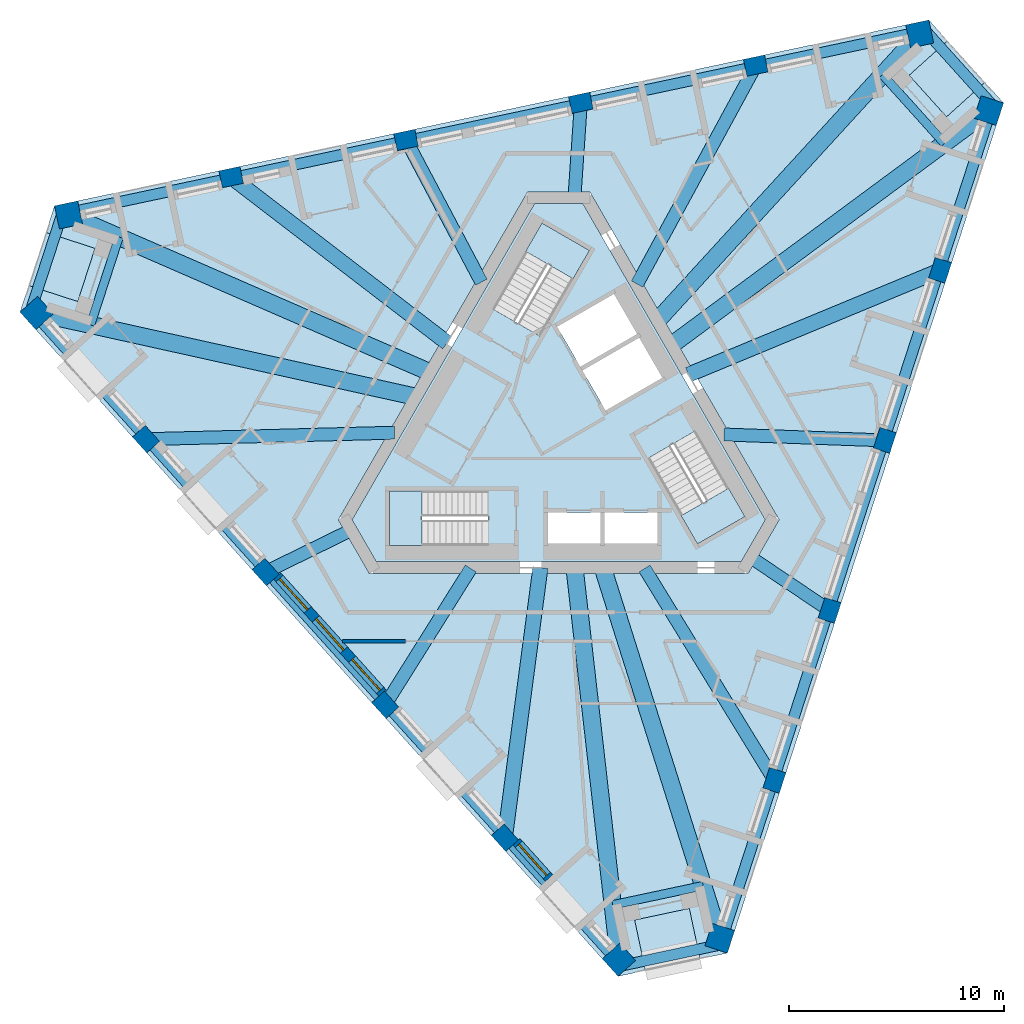
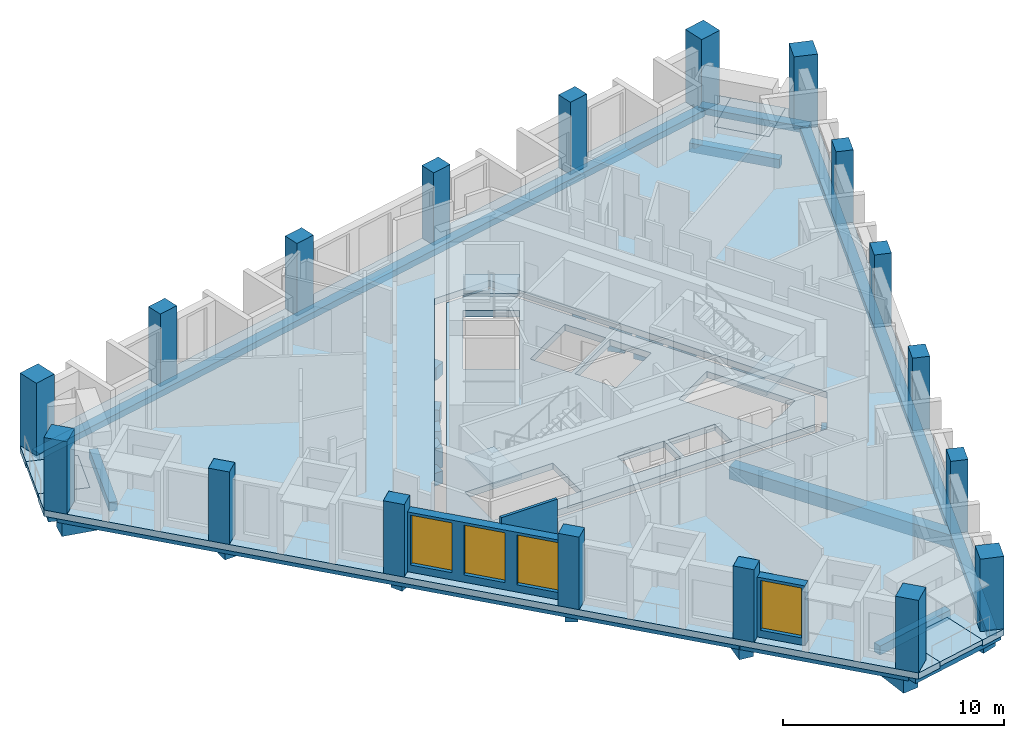
# One storey, part 1 of 12: 27 beams, 18 columns, 8 slabs, 4 windows, 3 walls, 4 openings, 3 elements without a shape of their own.
"""IFC4 building model written with IfcOpenShell, lengths in metres."""

from ifc_helpers import new_model, si_unit, direction, frame, frame_2d, origin, origin_2d, place, context, subcontext, project, spatial, polyline, rectangle, outline, extrude, material, layer, layer_set, material_profile, profile_set, type_object, element, fill, aggregate, save


model = new_model("IFC4")

# Units and contexts
model_context = context("Model", 3, precision=1e-05, world=origin(), true_north=direction((0.0, 1.0)))
body_context = subcontext(model_context, "Body", "Model", "MODEL_VIEW")
ifc_project = project(units=[si_unit("LENGTHUNIT", "METRE"), si_unit("AREAUNIT", "SQUARE_METRE"), si_unit("VOLUMEUNIT", "CUBIC_METRE"), si_unit("PLANEANGLEUNIT", "RADIAN"), si_unit("MASSUNIT", "GRAM", prefix="KILO")], contexts=[model_context])

# Site, building, storey
site_placement = place(None, origin())
site = spatial("IfcSite", under=ifc_project, at=site_placement, CompositionType="ELEMENT")
building_placement = place(site_placement, origin())
building = spatial("IfcBuilding", under=site, at=building_placement, Name="Tramontana Tower", CompositionType="ELEMENT")
storey_placement = place(building_placement, frame((0.0, 0.0, 340.39990234375)))
storey = spatial("IfcBuildingStorey", under=building, at=storey_placement, Name="L78", CompositionType="ELEMENT", Elevation=340.39990234375)

# Columns
ifc_material_1 = material(Name="Concrete 55 MPa", Category="concrete")
ifc_material_profile_1 = material_profile(ifc_material_1, rectangle(XDim=1.10009765625, YDim=1.10009765625, at=origin_2d()), Name="Mega column 1100X1100 55 MPa")
ifc_profile_set_1 = profile_set([ifc_material_profile_1], Name="Concrete 55 MPa")
column_type_1 = type_object("IfcColumnType", Name="Mega column 1100X1100 55 MPa", PredefinedType="COLUMN", material=ifc_profile_set_1)
for number, where, z_axis, x_axis, name in (
    (1, (-24.278076171875, 5.368408203125, 0.0), (0.0, 0.0, 1.0), (0.669130606359, -0.743144825477, 0.0), "Mega column C8K1 L78"),
    (2, (2.80126953125, -24.706298828125, 0.0), (0.0, 0.0, 1.0), (0.669130606359, -0.743144825477, 0.0), "Mega column C8K2 L78"),
    (3, (7.489990234375, -23.70947265625, 0.0), (0.0, 0.0, 1.0), (0.309016994375, 0.951056516295, 0.0), "Mega column C8K3 L78"),
    (4, (19.99560546875, 14.779052734375, 0.0), (0.0, 0.0, 1.0), (0.309016994375, 0.951056516295, 0.0), "Mega column C8K4 L78"),
    (5, (16.7880859375, 18.34130859375, 0.0), (0.0, 0.0, 1.0), (-0.978147600734, -0.207911690818, 0.0), "Mega column C8K5 L78"),
    (6, (-22.796875, 9.92724609375, 0.0), (0.0, 0.0, 1.0), (-0.978147600734, -0.207911690818, 0.0), "Mega column C8K6 L78"),
):
    element("IfcColumn", number, at=place(storey_placement, frame(where, z_axis=z_axis, x_axis=x_axis)), inside=storey, type_object=column_type_1, Name=name, PredefinedType="COLUMN", context=body_context, shape_type="SweptSolid", body=[
        extrude(rectangle(XDim=1.10009765625, YDim=1.10009765625, at=origin_2d()), origin(), (0.0, 0.0, 1.0), 4.0),
    ])
ifc_material_2 = material(Name="Concrete 55 MPa", Category="concrete")
ifc_material_profile_2 = material_profile(ifc_material_2, rectangle(XDim=1.0, YDim=0.800048828125, at=origin_2d()), Name="Pier column 1000X800 55 MPa")
ifc_profile_set_2 = profile_set([ifc_material_profile_2], Name="Concrete 55 MPa")
column_type_2 = type_object("IfcColumnType", Name="Pier column 1000X800 55 MPa", PredefinedType="COLUMN", material=ifc_profile_set_2)
for number, where, z_axis, x_axis, name in (
    (7, (-19.194580078125, -0.501708984375, 0.0), (0.0, 0.0, 1.0), (0.669130606359, -0.743144825477, 0.0), "Pier column C8F01 L78"),
    (8, (-13.63134765625, -6.68017578125, 0.0), (0.0, 0.0, 1.0), (0.669130606359, -0.743144825477, 0.0), "Pier column C8F02 L78"),
    (9, (-8.068359375, -12.8583984375, 0.0), (0.0, 0.0, 1.0), (0.669130606359, -0.743144825477, 0.0), "Pier column C8F03 L78"),
    (10, (-2.50537109375, -19.036865234375, 0.0), (0.0, 0.0, 1.0), (0.669130606359, -0.743144825477, 0.0), "Pier column C8F04 L78"),
    (11, (10.03173828125, -16.3720703125, 0.0), (0.0, 0.0, 1.0), (0.309016994375, 0.951056516295, 0.0), "Pier column C8F05 L78"),
    (12, (12.600830078125, -8.465087890625, 0.0), (0.0, 0.0, 1.0), (0.309016994375, 0.951056516295, 0.0), "Pier column C8F06 L78"),
    (13, (15.169921875, -0.55810546875, 0.0), (0.0, 0.0, 1.0), (0.309016994375, 0.951056516295, 0.0), "Pier column C8F07 L78"),
    (14, (17.739013671875, 7.348876953125, 0.0), (0.0, 0.0, 1.0), (0.309016994375, 0.951056516295, 0.0), "Pier column C8F08 L78"),
    (15, (9.162841796875, 16.873779296875, 0.0), (0.0, 0.0, 1.0), (-0.978147600734, -0.207911690818, 0.0), "Pier column C8F09 L78"),
    (16, (1.030517578125, 15.145263671875, 0.0), (0.0, 0.0, 1.0), (-0.978147600734, -0.207911690818, 0.0), "Pier column C8F10 L78"),
    (17, (-7.1015625, 13.416748046875, 0.0), (0.0, 0.0, 1.0), (-0.978147600734, -0.207911690818, 0.0), "Pier column C8F11 L78"),
    (18, (-15.233642578125, 11.688232421875, 0.0), (0.0, 0.0, 1.0), (-0.978147600734, -0.207911690818, 0.0), "Pier column C8F12 L78"),
):
    element("IfcColumn", number, at=place(storey_placement, frame(where, z_axis=z_axis, x_axis=x_axis)), inside=storey, type_object=column_type_2, Name=name, PredefinedType="COLUMN", context=body_context, shape_type="SweptSolid", body=[
        extrude(rectangle(XDim=1.0, YDim=0.800048828125, at=origin_2d()), origin(), (0.0, 0.0, 1.0), 4.0),
    ])

# Beams
ifc_material_3 = material(Name="Concrete 40 MPa", Category="concrete")
ifc_material_profile_3 = material_profile(ifc_material_3, rectangle(XDim=0.5, YDim=0.35009765625, at=origin_2d()), Name="RC EDGE BEAM 500X350 40 MPa")
ifc_profile_set_3 = profile_set([ifc_material_profile_3], Name="Concrete 40 MPa")
beam_type_1 = type_object("IfcBeamType", Name="RC EDGE BEAM 500X350 40 MPa", PredefinedType="SPANDREL", material=ifc_profile_set_3)
for number, where, z_axis, x_axis, name in (
    (19, (-24.352294921875, 5.301513671875, -0.52490234375), (0.669126699639, -0.743148343086, 0.0), (0.743148343086, 0.669126699639, 0.0), "Spandrel beam S0 L78"),
    (20, (7.5849609375, -23.740478515625, -0.52490234375), (0.309021003975, 0.951055213488, 0.0), (-0.951055213488, 0.309021003975, 0.0), "Spandrel beam S1 L78"),
):
    element("IfcBeam", number, at=place(storey_placement, frame(where, z_axis=z_axis, x_axis=x_axis)), inside=storey, type_object=beam_type_1, Name=name, PredefinedType="SPANDREL", context=body_context, shape_type="SweptSolid", body=[
        extrude(rectangle(XDim=0.5, YDim=0.35009765625, at=origin_2d()), origin(), (0.0, 0.0, 1.0), 40.46923828125),
    ])
beam_1_placement = place(storey_placement, frame((16.767333984375, 18.439208984375, -0.52490234375), z_axis=(-0.978146276815, -0.20791791927, 0.0), x_axis=(0.20791791927, -0.978146276815, 0.0)))
element("IfcBeam", 21, at=beam_1_placement, inside=storey, type_object=beam_type_1, Name="Spandrel beam S2 L78", PredefinedType="SPANDREL", context=body_context, shape_type="SweptSolid", body=[
    extrude(rectangle(XDim=0.5, YDim=0.35009765625, at=origin_2d()), origin(), (0.0, 0.0, 1.0), 40.469482421875),
])
beam_2_placement = place(storey_placement, frame((-23.02099609375, 10.2119140625, -0.52490234375), z_axis=(-0.309015953557, -0.951056854477, 0.0), x_axis=(0.951056854477, -0.309015953557, 0.0)))
element("IfcBeam", 22, at=beam_2_placement, inside=storey, type_object=beam_type_1, Name="Spandrel beam K0 L78", PredefinedType="SPANDREL", context=body_context, shape_type="SweptSolid", body=[
    extrude(rectangle(XDim=0.5, YDim=0.35009765625, at=origin_2d()), origin(), (0.0, 0.0, 1.0), 5.1962890625),
])
for number, where, z_axis, x_axis, name in (
    (23, (2.6669921875, -25.042724609375, -0.52490234375), (0.97814762463, 0.207911578393, 0.0), (-0.207911578393, 0.97814762463, 0.0), "Spandrel beam K1 L78"),
    (24, (20.354248046875, 14.8310546875, -0.52490234375), (-0.66916199362, 0.74311656306, 0.0), (-0.74311656306, -0.66916199362, 0.0), "Spandrel beam K2 L78"),
):
    element("IfcBeam", number, at=place(storey_placement, frame(where, z_axis=z_axis, x_axis=x_axis)), inside=storey, type_object=beam_type_1, Name=name, PredefinedType="SPANDREL", context=body_context, shape_type="SweptSolid", body=[
        extrude(rectangle(XDim=0.5, YDim=0.35009765625, at=origin_2d()), origin(), (0.0, 0.0, 1.0), 5.196044921875),
    ])
ifc_material_4 = material(Name="Concrete 40 MPa", Category="concrete")
ifc_material_profile_4 = material_profile(ifc_material_4, rectangle(XDim=0.60009765625, YDim=0.699951171875, at=origin_2d()), Name="RC GIRDER 600X700 40 MPa")
ifc_profile_set_4 = profile_set([ifc_material_profile_4], Name="Concrete 40 MPa")
beam_type_2 = type_object("IfcBeamType", Name="RC GIRDER 600X700 40 MPa", PredefinedType="BEAM", material=ifc_profile_set_4)
beam_3_placement = place(storey_placement, frame((-19.194580078125, -0.501708984375, -0.699951171875), z_axis=(0.999658682192, 0.026125066864, 0.0), x_axis=(-0.026125066864, 0.999658682192, 0.0)))
element("IfcBeam", 25, at=beam_3_placement, inside=storey, type_object=beam_type_2, Name="Radial girder C8F01 L78", PredefinedType="BEAM", context=body_context, shape_type="SweptSolid", body=[
    extrude(rectangle(XDim=0.60009765625, YDim=0.699951171875, at=origin_2d()), origin(), (0.0, 0.0, 1.0), 11.559814453125),
])
beam_4_placement = place(storey_placement, frame((-13.63134765625, -6.68017578125, -0.699951171875), z_axis=(0.897959158445, 0.440078799496, 0.0), x_axis=(-0.440078799496, 0.897959158445, 0.0)))
element("IfcBeam", 26, at=beam_4_placement, inside=storey, type_object=beam_type_2, Name="Radial girder C8F02 L78", PredefinedType="BEAM", context=body_context, shape_type="SweptSolid", body=[
    extrude(rectangle(XDim=0.60009765625, YDim=0.699951171875, at=origin_2d()), origin(), (0.0, 0.0, 1.0), 4.4296875),
])
beam_5_placement = place(storey_placement, frame((-8.068359375, -12.8583984375, -0.699951171875), z_axis=(0.531504835363, 0.847055257929, 0.0), x_axis=(-0.847055257929, 0.531504835363, 0.0)))
element("IfcBeam", 27, at=beam_5_placement, inside=storey, type_object=beam_type_2, Name="Radial girder C8F03 L78", PredefinedType="BEAM", context=body_context, shape_type="SweptSolid", body=[
    extrude(rectangle(XDim=0.60009765625, YDim=0.699951171875, at=origin_2d()), origin(), (0.0, 0.0, 1.0), 7.486328125),
])
beam_6_placement = place(storey_placement, frame((10.03173828125, -16.3720703125, -0.699951171875), z_axis=(-0.522458548495, 0.852664685034, 0.0), x_axis=(-0.852664685034, -0.522458548495, 0.0)))
element("IfcBeam", 28, at=beam_6_placement, inside=storey, type_object=beam_type_2, Name="Radial girder C8F05 L78", PredefinedType="BEAM", context=body_context, shape_type="SweptSolid", body=[
    extrude(rectangle(XDim=0.60009765625, YDim=0.699951171875, at=origin_2d()), origin(), (0.0, 0.0, 1.0), 11.559814453125),
])
beam_7_placement = place(storey_placement, frame((12.600830078125, -8.465087890625, -0.699951171875), z_axis=(-0.830077902204, 0.557647448011, 0.0), x_axis=(-0.557647448011, -0.830077902204, 0.0)))
element("IfcBeam", 29, at=beam_7_placement, inside=storey, type_object=beam_type_2, Name="Radial girder C8F06 L78", PredefinedType="BEAM", context=body_context, shape_type="SweptSolid", body=[
    extrude(rectangle(XDim=0.60009765625, YDim=0.699951171875, at=origin_2d()), origin(), (0.0, 0.0, 1.0), 4.4296875),
])
beam_8_placement = place(storey_placement, frame((15.169921875, -0.55810546875, -0.699951171875), z_axis=(-0.999324360611, 0.036753534393, 0.0), x_axis=(-0.036753534393, -0.999324360611, 0.0)))
element("IfcBeam", 30, at=beam_8_placement, inside=storey, type_object=beam_type_2, Name="Radial girder C8F07 L78", PredefinedType="BEAM", context=body_context, shape_type="SweptSolid", body=[
    extrude(rectangle(XDim=0.60009765625, YDim=0.699951171875, at=origin_2d()), origin(), (0.0, 0.0, 1.0), 7.486328125),
])
beam_9_placement = place(storey_placement, frame((9.16259765625, 16.873779296875, -0.699951171875), z_axis=(-0.477185075818, -0.87880282397, 0.0), x_axis=(0.87880282397, -0.477185075818, 0.0)))
element("IfcBeam", 31, at=beam_9_placement, inside=storey, type_object=beam_type_2, Name="Radial girder C8F09 L78", PredefinedType="BEAM", context=body_context, shape_type="SweptSolid", body=[
    extrude(rectangle(XDim=0.60009765625, YDim=0.699951171875, at=origin_2d()), origin(), (0.0, 0.0, 1.0), 11.559814453125),
])
beam_10_placement = place(storey_placement, frame((1.030517578125, 15.145263671875, -0.699951171875), z_axis=(-0.067897965918, -0.997692270304, 0.0), x_axis=(0.997692270304, -0.067897965918, 0.0)))
element("IfcBeam", 32, at=beam_10_placement, inside=storey, type_object=beam_type_2, Name="Radial girder C8F10 L78", PredefinedType="BEAM", context=body_context, shape_type="SweptSolid", body=[
    extrude(rectangle(XDim=0.60009765625, YDim=0.699951171875, at=origin_2d()), origin(), (0.0, 0.0, 1.0), 4.429931640625),
])
beam_11_placement = place(storey_placement, frame((-7.1015625, 13.416748046875, -0.699951171875), z_axis=(0.467808305742, -0.883829954843, 0.0), x_axis=(0.883829954843, 0.467808305742, 0.0)))
element("IfcBeam", 33, at=beam_11_placement, inside=storey, type_object=beam_type_2, Name="Radial girder C8F11 L78", PredefinedType="BEAM", context=body_context, shape_type="SweptSolid", body=[
    extrude(rectangle(XDim=0.60009765625, YDim=0.699951171875, at=origin_2d()), origin(), (0.0, 0.0, 1.0), 7.486328125),
])
ifc_material_5 = material(Name="Concrete 40 MPa", Category="concrete")
ifc_material_profile_5 = material_profile(ifc_material_5, rectangle(XDim=0.699951171875, YDim=0.89990234375, at=origin_2d()), Name="RC GIRDER 700X900 40 MPa")
ifc_profile_set_5 = profile_set([ifc_material_profile_5], Name="Concrete 40 MPa")
beam_type_3 = type_object("IfcBeamType", Name="RC GIRDER 700X900 40 MPa", PredefinedType="BEAM", material=ifc_profile_set_5)
beam_12_placement = place(storey_placement, frame((-2.50537109375, -19.036865234375, -0.7998046875), z_axis=(0.130493398369, 0.991449178214, 0.0), x_axis=(-0.991449178214, 0.130493398369, 0.0)))
element("IfcBeam", 34, at=beam_12_placement, inside=storey, type_object=beam_type_3, Name="Radial girder C8F04 L78", PredefinedType="BEAM", context=body_context, shape_type="SweptSolid", body=[
    extrude(rectangle(XDim=0.699951171875, YDim=0.89990234375, at=origin_2d()), origin(), (0.0, 0.0, 1.0), 12.66796875),
])
beam_13_placement = place(storey_placement, frame((17.739013671875, 7.348876953125, -0.7998046875), z_axis=(-0.923857326556, -0.382737037885, 0.0), x_axis=(0.382737037885, -0.923857326556, 0.0)))
element("IfcBeam", 35, at=beam_13_placement, inside=storey, type_object=beam_type_3, Name="Radial girder C8F08 L78", PredefinedType="BEAM", context=body_context, shape_type="SweptSolid", body=[
    extrude(rectangle(XDim=0.699951171875, YDim=0.89990234375, at=origin_2d()), origin(), (0.0, 0.0, 1.0), 12.667724609375),
])
beam_14_placement = place(storey_placement, frame((-15.23388671875, 11.68798828125, -0.7998046875), z_axis=(0.793386383047, -0.608718364431, 0.0), x_axis=(0.608718364431, 0.793386383047, 0.0)))
element("IfcBeam", 36, at=beam_14_placement, inside=storey, type_object=beam_type_3, Name="Radial girder C8F12 L78", PredefinedType="BEAM", context=body_context, shape_type="SweptSolid", body=[
    extrude(rectangle(XDim=0.699951171875, YDim=0.89990234375, at=origin_2d()), origin(), (0.0, 0.0, 1.0), 12.66796875),
])
ifc_material_6 = material(Name="Concrete 40 MPa", Category="concrete")
ifc_material_profile_6 = material_profile(ifc_material_6, rectangle(XDim=0.800048828125, YDim=1.10009765625, at=origin_2d()), Name="RC GIRDER 800X1100 40 MPa")
ifc_profile_set_6 = profile_set([ifc_material_profile_6], Name="Concrete 40 MPa")
beam_type_4 = type_object("IfcBeamType", Name="RC GIRDER 800X1100 40 MPa", PredefinedType="BEAM", material=ifc_profile_set_6)
beam_15_placement = place(storey_placement, frame((-24.278076171875, 5.368408203125, -0.89990234375), z_axis=(0.976414256624, -0.215905533653, 0.0), x_axis=(0.215905533653, 0.976414256624, 0.0)))
element("IfcBeam", 37, at=beam_15_placement, inside=storey, type_object=beam_type_4, Name="Radial girder C8K1 L78", PredefinedType="BEAM", context=body_context, shape_type="SweptSolid", body=[
    extrude(rectangle(XDim=0.800048828125, YDim=1.10009765625, at=origin_2d()), origin(), (0.0, 0.0, 1.0), 18.060791015625),
])
beam_16_placement = place(storey_placement, frame((2.80126953125, -24.706298828125, -0.89990234375), z_axis=(-0.112660068087, 0.993633588934, 0.0), x_axis=(-0.993633588934, -0.112660068087, 0.0)))
element("IfcBeam", 38, at=beam_16_placement, inside=storey, type_object=beam_type_4, Name="Radial girder C8K2 L78", PredefinedType="BEAM", context=body_context, shape_type="SweptSolid", body=[
    extrude(rectangle(XDim=0.800048828125, YDim=1.10009765625, at=origin_2d()), origin(), (0.0, 0.0, 1.0), 18.34619140625),
])
beam_17_placement = place(storey_placement, frame((7.489990234375, -23.709716796875, -0.89990234375), z_axis=(-0.301228407795, 0.953552015538, 0.0), x_axis=(-0.953552015538, -0.301228407795, 0.0)))
element("IfcBeam", 39, at=beam_17_placement, inside=storey, type_object=beam_type_4, Name="Radial girder C8K3 L78", PredefinedType="BEAM", context=body_context, shape_type="SweptSolid", body=[
    extrude(rectangle(XDim=0.800048828125, YDim=1.10009765625, at=origin_2d()), origin(), (0.0, 0.0, 1.0), 18.060791015625),
])
beam_18_placement = place(storey_placement, frame((19.99560546875, 14.779052734375, -0.89990234375), z_axis=(-0.804178630494, -0.594387693562, 0.0), x_axis=(0.594387693562, -0.804178630494, 0.0)))
element("IfcBeam", 40, at=beam_18_placement, inside=storey, type_object=beam_type_4, Name="Radial girder C8K4 L78", PredefinedType="BEAM", context=body_context, shape_type="SweptSolid", body=[
    extrude(rectangle(XDim=0.800048828125, YDim=1.10009765625, at=origin_2d()), origin(), (0.0, 0.0, 1.0), 18.34619140625),
])
beam_19_placement = place(storey_placement, frame((16.7880859375, 18.34130859375, -0.89990234375), z_axis=(-0.675183941423, -0.737649405371, 0.0), x_axis=(0.737649405371, -0.675183941423, 0.0)))
element("IfcBeam", 41, at=beam_19_placement, inside=storey, type_object=beam_type_4, Name="Radial girder C8K5 L78", PredefinedType="BEAM", context=body_context, shape_type="SweptSolid", body=[
    extrude(rectangle(XDim=0.800048828125, YDim=1.10009765625, at=origin_2d()), origin(), (0.0, 0.0, 1.0), 18.060791015625),
])
beam_20_placement = place(storey_placement, frame((-22.796875, 9.92724609375, -0.89990234375), z_axis=(0.916837391717, -0.399260813441, 0.0), x_axis=(0.399260813441, 0.916837391717, 0.0)))
element("IfcBeam", 42, at=beam_20_placement, inside=storey, type_object=beam_type_4, Name="Radial girder C8K6 L78", PredefinedType="BEAM", context=body_context, shape_type="SweptSolid", body=[
    extrude(rectangle(XDim=0.800048828125, YDim=1.10009765625, at=origin_2d()), origin(), (0.0, 0.0, 1.0), 18.34619140625),
])
ifc_material_7 = material(Name="Concrete 40 MPa", Category="concrete")
ifc_material_profile_7 = material_profile(ifc_material_7, rectangle(XDim=0.39990234375, YDim=0.5, at=origin_2d()), Name="RC TRIM BEAM 400X500 40 MPa")
ifc_profile_set_7 = profile_set([ifc_material_profile_7], Name="Concrete 40 MPa")
beam_type_5 = type_object("IfcBeamType", Name="RC TRIM BEAM 400X500 40 MPa", PredefinedType="JOIST", material=ifc_profile_set_7)
for number, where, z_axis, x_axis, name in (
    (43, (-20.44921875, 8.90478515625, -0.599853515625), (-0.308996198876, -0.951063272911, 0.0), (0.951063272911, -0.308996198876, 0.0), "Trimmer beam K0 L78"),
    (44, (2.5126953125, -22.161865234375, -0.599853515625), (0.978144273721, 0.207927342565, 0.0), (-0.207927342565, 0.978144273721, 0.0), "Trimmer beam K1 L78"),
    (45, (17.936279296875, 13.257080078125, -0.599853515625), (-0.669146657008, 0.743130373094, 0.0), (-0.743130373094, -0.669146657008, 0.0), "Trimmer beam K2 L78"),
):
    element("IfcBeam", number, at=place(storey_placement, frame(where, z_axis=z_axis, x_axis=x_axis)), inside=storey, type_object=beam_type_5, Name=name, PredefinedType="JOIST", context=body_context, shape_type="SweptSolid", body=[
        extrude(rectangle(XDim=0.39990234375, YDim=0.5, at=origin_2d()), origin(), (0.0, 0.0, 1.0), 4.2998046875),
    ])

# Slabs
ifc_material_8 = material(Name="Precast concrete 50 MPa", Category="concrete")
ifc_layer_1 = layer(ifc_material_8, 0.25)
ifc_layer_set_1 = layer_set([ifc_layer_1], Name="LT1 Loggia floor tray 250")
slab_type_1 = type_object("IfcSlabType", Name="LT1 Loggia floor tray 250", PredefinedType="FLOOR", material=ifc_layer_set_1)
slab_1_placement = place(storey_placement, frame((0.0, 0.0, -0.25)))
element("IfcSlab", 46, at=slab_1_placement, inside=storey, type_object=slab_type_1, Name="Corner loggia floor L78 K80", PredefinedType="FLOOR", context=body_context, shape_type="SweptSolid", body=[
    extrude(outline(polyline([(-23.85009765625, 9.1162109375), (-21.567626953125, 8.374755859375), (-22.37109375, 5.90185546875), (-24.653564453125, 6.6435546875), (-23.85009765625, 9.1162109375)])), origin(), (0.0, 0.0, 1.0), 0.25),
])
slab_2_placement = place(storey_placement, frame((0.0, 0.0, -0.25)))
element("IfcSlab", 47, at=slab_2_placement, inside=storey, type_object=slab_type_1, Name="Corner loggia floor L78 K81", PredefinedType="FLOOR", context=body_context, shape_type="SweptSolid", body=[
    extrude(outline(polyline([(4.0302734375, -25.213134765625), (3.53125, -22.865478515625), (6.074462890625, -22.324951171875), (6.5732421875, -24.67236328125), (4.0302734375, -25.213134765625)])), origin(), (0.0, 0.0, 1.0), 0.25),
])
slab_3_placement = place(storey_placement, frame((0.0, 0.0, -0.25)))
element("IfcSlab", 48, at=slab_3_placement, inside=storey, type_object=slab_type_1, Name="Corner loggia floor L78 K82", PredefinedType="FLOOR", context=body_context, shape_type="SweptSolid", body=[
    extrude(outline(polyline([(19.820068359375, 16.0966796875), (18.03662109375, 14.49072265625), (16.296875, 16.423095703125), (18.080322265625, 18.02880859375), (19.820068359375, 16.0966796875)])), origin(), (0.0, 0.0, 1.0), 0.25),
])
ifc_material_9 = material(Name="Concrete 40 MPa", Category="concrete")
ifc_layer_2 = layer(ifc_material_9, 0.35009765625)
ifc_layer_set_2 = layer_set([ifc_layer_2], Name="PT FLAT SLAB 350 40 MPa")
slab_type_2 = type_object("IfcSlabType", Name="PT FLAT SLAB 350 40 MPa", PredefinedType="FLOOR", material=ifc_layer_set_2)
slab_4_placement = place(storey_placement, frame((0.0, 0.0, -0.349853515625)))
element("IfcSlab", 49, at=slab_4_placement, inside=storey, type_object=slab_type_2, Name="Floor slab L78", PredefinedType="FLOOR", context=body_context, shape_type="SweptSolid", body=[
    extrude(outline(polyline([(18.080322265625, 18.02880859375), (16.296875, 16.423095703125), (18.03662109375, 14.49072265625), (19.820068359375, 16.0966796875), (20.688720703125, 15.132080078125), (7.843017578125, -24.402587890625), (6.5732421875, -24.672607421875), (6.074462890625, -22.324951171875), (3.53125, -22.865478515625), (4.0302734375, -25.212890625), (2.760498046875, -25.48291015625), (-25.0546875, 5.408935546875), (-24.65380859375, 6.6435546875), (-22.37109375, 5.90185546875), (-21.567626953125, 8.374755859375), (-23.85009765625, 9.1162109375), (-23.44921875, 10.350830078125), (17.211669921875, 18.99365234375), (18.080322265625, 18.02880859375)]), holes=[polyline([(-10.248046875, -4.25), (-8.8046875, -6.75), (8.8046875, -6.75), (10.248046875, -4.25), (1.443359375, 11.0), (-1.443359375, 11.0), (-10.248046875, -4.25)])]), origin(), (0.0, 0.0, 1.0), 0.349853515625),
])
slab_5_placement = place(storey_placement, frame((0.0, 0.0, -0.349853515625)))
element("IfcSlab", 50, at=slab_5_placement, inside=storey, type_object=slab_type_2, Name="Core floor slab L78", PredefinedType="FLOOR", context=body_context, shape_type="SweptSolid", body=[
    extrude(outline(polyline([(9.61279296875, -4.25), (8.487060546875, -6.199951171875), (-8.487060546875, -6.199951171875), (-9.61279296875, -4.25), (-1.125732421875, 10.449951171875), (1.125732421875, 10.449951171875), (9.61279296875, -4.25)]), holes=[polyline([(8.659912109375, -4.099365234375), (6.35986328125, -0.115478515625), (4.151611328125, -1.390625), (6.451416015625, -5.374267578125), (8.659912109375, -4.099365234375)]), polyline([(3.829833984375, 4.2666015625), (1.101806640625, 2.69140625), (2.177001953125, 0.82958984375), (4.90478515625, 2.404541015625), (3.829833984375, 4.2666015625)]), polyline([(4.590087890625, -3.89990234375), (2.139892578125, -3.89990234375), (2.139892578125, -5.449951171875), (4.590087890625, -5.449951171875), (4.590087890625, -3.89990234375)]), polyline([(2.65478515625, 6.3017578125), (-0.072998046875, 4.726806640625), (1.001953125, 2.86474609375), (3.729736328125, 4.439697265625), (2.65478515625, 6.3017578125)]), polyline([(1.93994140625, -5.449951171875), (1.93994140625, -3.89990234375), (-0.510009765625, -3.89990234375), (-0.510009765625, -5.449951171875), (1.93994140625, -5.449951171875)]), polyline([(-0.77978515625, 9.54931640625), (-3.079833984375, 5.565673828125), (-0.87158203125, 4.29052734375), (1.428466796875, 8.2744140625), (-0.77978515625, 9.54931640625)]), polyline([(-7.8798828125, -5.449951171875), (-3.280029296875, -5.449951171875), (-3.280029296875, -2.89990234375), (-7.8798828125, -2.89990234375), (-7.8798828125, -5.449951171875)])]), origin(), (0.0, 0.0, 1.0), 0.349853515625),
])

# Stair, slab
ifc_material_10 = material(Name="Concrete 40 MPa", Category="concrete")
stair_type = type_object("IfcStairType", Name="EXIT STAIR 24 RISERS", PredefinedType="HALF_TURN_STAIR", material=ifc_material_10)
stair_1_placement = place(storey_placement, origin())
stair_1 = element("IfcStair", 51, at=stair_1_placement, inside=storey, type_object=stair_type, Name="L78 Exit stair ST1", PredefinedType="HALF_TURN_STAIR")
ifc_material_11 = material(Name="Concrete 40 MPa", Category="concrete")
ifc_layer_3 = layer(ifc_material_11, 0.199951171875)
ifc_layer_set_3 = layer_set([ifc_layer_3], Name="STAIR LANDING 200")
slab_type_3 = type_object("IfcSlabType", Name="STAIR LANDING 200", PredefinedType="LANDING", material=ifc_layer_set_3)
slab_6_placement = place(storey_placement, frame((0.0, 0.0, 1.800048828125)))
slab_6 = element("IfcSlab", 52, at=slab_6_placement, type_object=slab_type_3, Name="ST1 landing 1", PredefinedType="LANDING", context=body_context, shape_type="SweptSolid", body=[
    extrude(outline(polyline([(0.66845703125, 6.9580078125), (1.428466796875, 8.274169921875), (-0.77978515625, 9.54931640625), (-1.539794921875, 8.23291015625), (0.66845703125, 6.9580078125)])), origin(), (0.0, 0.0, 1.0), 0.199951171875),
])
aggregate(stair_1, [slab_6])

stair_2_placement = place(storey_placement, origin())
stair_2 = element("IfcStair", 53, at=stair_2_placement, inside=storey, type_object=stair_type, Name="L78 Exit stair ST2", PredefinedType="HALF_TURN_STAIR")
slab_7_placement = place(storey_placement, frame((0.0, 0.0, 1.800048828125)))
slab_7 = element("IfcSlab", 54, at=slab_7_placement, type_object=slab_type_3, Name="ST2 landing 1", PredefinedType="LANDING", context=body_context, shape_type="SweptSolid", body=[
    extrude(outline(polyline([(-6.360107421875, -2.89990234375), (-7.8798828125, -2.89990234375), (-7.8798828125, -5.449951171875), (-6.360107421875, -5.449951171875), (-6.360107421875, -2.89990234375)])), origin(), (0.0, 0.0, 1.0), 0.199951171875),
])
aggregate(stair_2, [slab_7])

stair_3_placement = place(storey_placement, origin())
stair_3 = element("IfcStair", 55, at=stair_3_placement, inside=storey, type_object=stair_type, Name="L78 Exit stair ST3", PredefinedType="HALF_TURN_STAIR")
slab_8_placement = place(storey_placement, frame((0.0, 0.0, 1.800048828125)))
slab_8 = element("IfcSlab", 56, at=slab_8_placement, type_object=slab_type_3, Name="ST3 landing 1", PredefinedType="LANDING", context=body_context, shape_type="SweptSolid", body=[
    extrude(outline(polyline([(5.69140625, -4.057861328125), (6.451416015625, -5.374267578125), (8.659912109375, -4.099365234375), (7.89990234375, -2.782958984375), (5.69140625, -4.057861328125)])), origin(), (0.0, 0.0, 1.0), 0.199951171875),
])
aggregate(stair_3, [slab_8])

# Wall, openings, windows
ifc_material_12 = material(Name="Precast concrete 60 MPa", Category="concrete")
ifc_layer_4 = layer(ifc_material_12, 0.449951171875)
ifc_layer_set_4 = layer_set([ifc_layer_4], Name="Precast concrete 60 MPa, 450 mm")
wall_type_1 = type_object("IfcWallType", Name="EW1 Stone-faced precast wall 450", PredefinedType="SOLIDWALL", material=ifc_layer_set_4)
wall_1_placement = place(storey_placement, frame((-13.092529296875, -6.86767578125, 0.0), z_axis=(0.0, 0.0, 1.0), x_axis=(0.669136224502, -0.74313976684, 0.0)))
wall_1 = element("IfcWall", 57, at=wall_1_placement, inside=storey, type_object=wall_type_1, Name="External wall L78 face 0 bay 3", PredefinedType="SOLIDWALL", context=body_context, shape_type="SweptSolid", body=[
    extrude(rectangle(XDim=7.31396484375, YDim=0.449951171875, at=frame_2d((3.656982421875, 0.0))), origin(), (0.0, 0.0, 1.0), 3.300048828125),
])
opening_1_placement = place(wall_1_placement, frame((0.16064453125, 0.0, 0.39990234375)))
opening_1 = element("IfcOpeningElement", 58, at=opening_1_placement, cuts=wall_1, Name="Opening M3", PredefinedType="OPENING", context=body_context, shape_type="SweptSolid", body=[
    extrude(rectangle(XDim=1.949951171875, YDim=2.75, at=frame_2d((0.97509765625, 1.375))), frame((0.0, 0.23486328125, 0.0), z_axis=(0.0, -1.0, 0.0), x_axis=(1.0, 0.0, 0.0)), (0.0, 0.0, 1.0), 0.469970703125),
])
opening_2_placement = place(wall_1_placement, frame((2.681884765625, 0.0, 0.39990234375)))
opening_2 = element("IfcOpeningElement", 59, at=opening_2_placement, cuts=wall_1, Name="Opening M3", PredefinedType="OPENING", context=body_context, shape_type="SweptSolid", body=[
    extrude(rectangle(XDim=1.949951171875, YDim=2.75, at=frame_2d((0.97509765625, 1.375))), frame((0.0, 0.23486328125, 0.0), z_axis=(0.0, -1.0, 0.0), x_axis=(1.0, 0.0, 0.0)), (0.0, 0.0, 1.0), 0.469970703125),
])
opening_3_placement = place(wall_1_placement, frame((5.203125, 0.0, 0.39990234375)))
opening_3 = element("IfcOpeningElement", 60, at=opening_3_placement, cuts=wall_1, Name="Opening M3", PredefinedType="OPENING", context=body_context, shape_type="SweptSolid", body=[
    extrude(rectangle(XDim=1.949951171875, YDim=2.75, at=frame_2d((0.97509765625, 1.375))), frame((0.0, 0.23486328125, 0.0), z_axis=(0.0, -1.0, 0.0), x_axis=(1.0, 0.0, 0.0)), (0.0, 0.0, 1.0), 0.469970703125),
])
ifc_material_13 = material(Name="Aluminum frame, double glazing unit", Category="aluminium")
window_type = type_object("IfcWindowType", Name="M3 Window 1.95 x 2.75", PartitioningType="SINGLE_PANEL", PredefinedType="WINDOW", material=ifc_material_13)
window_1_placement = place(opening_1_placement, origin())
window_1 = element("IfcWindow", 61, at=window_1_placement, inside=storey, type_object=window_type, Name="Window M3 L78 face 0 module 7", OverallHeight=2.75, OverallWidth=1.949951171875, PartitioningType="SINGLE_PANEL", PredefinedType="WINDOW", context=body_context, shape_type="SweptSolid", body=[
    extrude(rectangle(XDim=1.949951171875, YDim=2.75, at=frame_2d((0.97509765625, 1.375))), frame((0.0, 0.030029296875, 0.0), z_axis=(0.0, -1.0, 0.0), x_axis=(1.0, 0.0, 0.0)), (0.0, 0.0, 1.0), 0.06005859375),
])
fill(opening_1, window_1)
window_2_placement = place(opening_2_placement, origin())
window_2 = element("IfcWindow", 62, at=window_2_placement, inside=storey, type_object=window_type, Name="Window M3 L78 face 0 module 8", OverallHeight=2.75, OverallWidth=1.949951171875, PartitioningType="SINGLE_PANEL", PredefinedType="WINDOW", context=body_context, shape_type="SweptSolid", body=[
    extrude(rectangle(XDim=1.949951171875, YDim=2.75, at=frame_2d((0.97509765625, 1.375))), frame((0.0, 0.030029296875, 0.0), z_axis=(0.0, -1.0, 0.0), x_axis=(1.0, 0.0, 0.0)), (0.0, 0.0, 1.0), 0.06005859375),
])
fill(opening_2, window_2)
window_3_placement = place(opening_3_placement, origin())
window_3 = element("IfcWindow", 63, at=window_3_placement, inside=storey, type_object=window_type, Name="Window M3 L78 face 0 module 9", OverallHeight=2.75, OverallWidth=1.949951171875, PartitioningType="SINGLE_PANEL", PredefinedType="WINDOW", context=body_context, shape_type="SweptSolid", body=[
    extrude(rectangle(XDim=1.949951171875, YDim=2.75, at=frame_2d((0.97509765625, 1.375))), frame((0.0, 0.030029296875, 0.0), z_axis=(0.0, -1.0, 0.0), x_axis=(1.0, 0.0, 0.0)), (0.0, 0.0, 1.0), 0.06005859375),
])
fill(opening_3, window_3)

# Wall, opening, window
wall_2_placement = place(storey_placement, frame((-1.96630859375, -19.224365234375, 0.0), z_axis=(0.0, 0.0, 1.0), x_axis=(0.669107243666, -0.743165860676, 0.0)))
wall_2 = element("IfcWall", 64, at=wall_2_placement, inside=storey, type_object=wall_type_1, Name="External wall L78 face 0 bay 5", PredefinedType="SOLIDWALL", context=body_context, shape_type="SweptSolid", body=[
    extrude(rectangle(XDim=2.271240234375, YDim=0.449951171875, at=frame_2d((1.1357421875, 0.0))), origin(), (0.0, 0.0, 1.0), 3.300048828125),
])
opening_4_placement = place(wall_2_placement, frame((0.16064453125, 0.0, 0.39990234375)))
opening_4 = element("IfcOpeningElement", 65, at=opening_4_placement, cuts=wall_2, Name="Opening M3", PredefinedType="OPENING", context=body_context, shape_type="SweptSolid", body=[
    extrude(rectangle(XDim=1.949951171875, YDim=2.75, at=frame_2d((0.97509765625, 1.375))), frame((0.0, 0.23486328125, 0.0), z_axis=(0.0, -1.0, 0.0), x_axis=(1.0, 0.0, 0.0)), (0.0, 0.0, 1.0), 0.469970703125),
])
window_4_placement = place(opening_4_placement, origin())
window_4 = element("IfcWindow", 66, at=window_4_placement, inside=storey, type_object=window_type, Name="Window M3 L78 face 0 module 13", OverallHeight=2.75, OverallWidth=1.949951171875, PartitioningType="SINGLE_PANEL", PredefinedType="WINDOW", context=body_context, shape_type="SweptSolid", body=[
    extrude(rectangle(XDim=1.949951171875, YDim=2.75, at=frame_2d((0.97509765625, 1.375))), frame((0.0, 0.030029296875, 0.0), z_axis=(0.0, -1.0, 0.0), x_axis=(1.0, 0.0, 0.0)), (0.0, 0.0, 1.0), 0.06005859375),
])
fill(opening_4, window_4)

# Wall
ifc_material_14 = material(Name="Gypsum board partition")
ifc_layer_5 = layer(ifc_material_14, 0.14990234375)
ifc_layer_set_5 = layer_set([ifc_layer_5], Name="PARTITION 150")
wall_type_2 = type_object("IfcWallType", Name="PARTITION 150", PredefinedType="PARTITIONING", material=ifc_layer_set_5)
wall_3_placement = place(storey_placement, frame((-7.132568359375, -9.89990234375, 0.0), z_axis=(0.0, 0.0, 1.0), x_axis=(-1.0, 0.0, 0.0)))
element("IfcWall", 67, at=wall_3_placement, inside=storey, type_object=wall_type_2, Name="Wall v81-pw13-6", PredefinedType="PARTITIONING", context=body_context, shape_type="SweptSolid", body=[
    extrude(rectangle(XDim=2.9267578125, YDim=0.14990234375, at=frame_2d((1.46337890625, 0.0))), origin(), (0.0, 0.0, 1.0), 3.650146484375),
])

save(model, "model.ifc")
